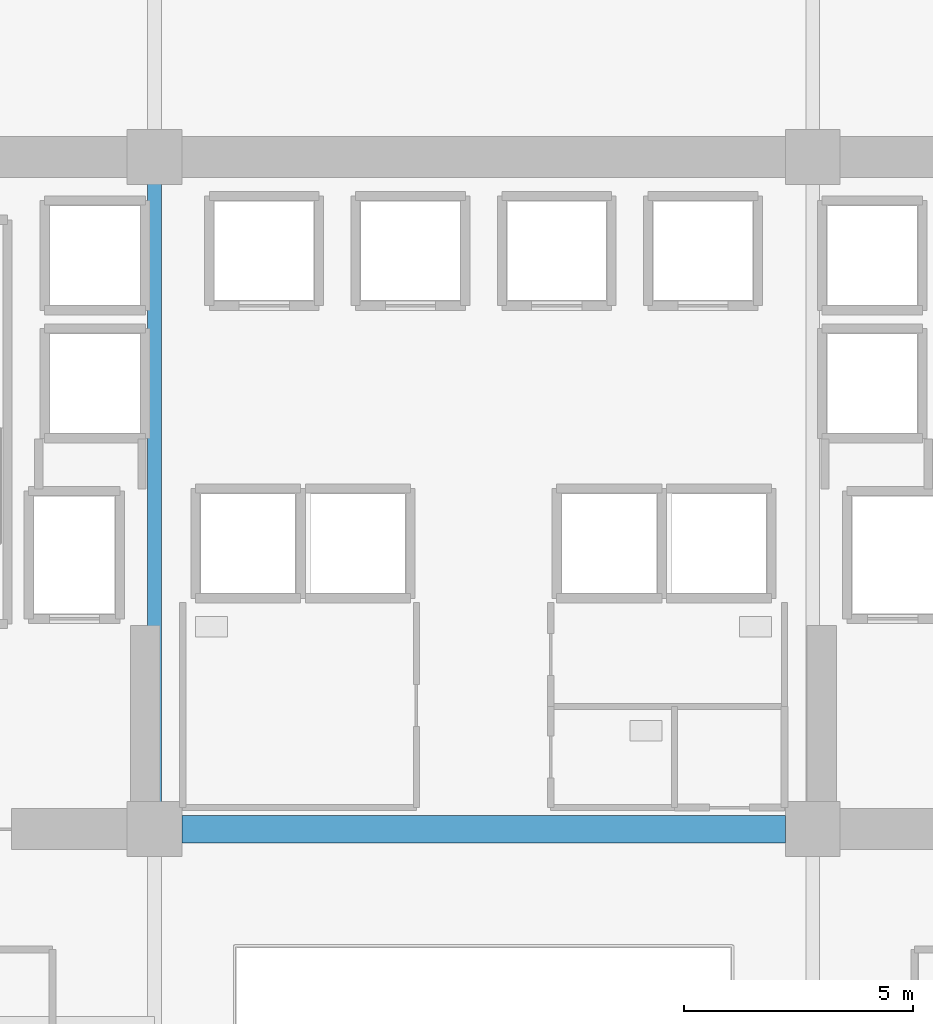
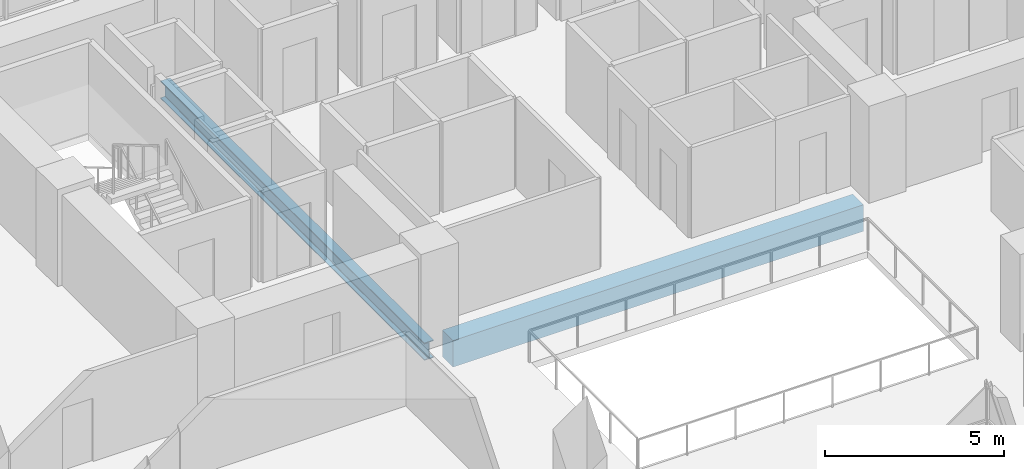
# One storey, part 8 of 31: 2 beams.
"""IFC4 building model written with IfcOpenShell, lengths in metres."""

import ifcopenshell
import ifcopenshell.guid

model = None  # the IFC model being written
_history = None  # IfcOwnerHistory: only IFC2X3 demands one
_inside = {}  # id of a spatial element -> (the spatial element, [elements in it])
_under = {}  # id of a project, library or spatial element -> (it, [spatial elements below it])
_declared = {}  # id of a project -> (the project, [libraries it declares])
_typed = {}  # id of a type object -> (the type object, [elements of that type])
_made_of = {}  # id of a material, layer set ... -> (it, [elements and type objects made of it])


def new_model(schema):
    """Start an empty IFC model of exactly this schema.

    Asked for "IFC4X3", IfcOpenShell would pick the latest addendum, in which some entities
    have other attributes; the version numbers below select the first issue.
    IFC2X3 requires an IfcOwnerHistory on every rooted entity: one is made here for all.
    """
    global model, _history
    if schema == "IFC4X3":
        model = ifcopenshell.file(schema_version=(4, 3, 0, 0))
    else:
        model = ifcopenshell.file(schema=schema)
    _inside.clear()
    _under.clear()
    _declared.clear()
    _typed.clear()
    _made_of.clear()
    _history = None
    if model.schema == "IFC2X3":
        org = make("IfcOrganization", Name="unknown")
        user = make(
            "IfcPersonAndOrganization",
            ThePerson=make("IfcPerson", FamilyName="unknown"),
            TheOrganization=org,
        )
        app = make(
            "IfcApplication",
            ApplicationDeveloper=org,
            Version="unknown",
            ApplicationFullName="unknown",
            ApplicationIdentifier="unknown",
        )
        _history = make(
            "IfcOwnerHistory",
            OwningUser=user,
            OwningApplication=app,
            ChangeAction="ADDED",
            CreationDate=0,
        )
    return model


def make(cls, **values):
    """One entity of the class cls with the attributes given. An attribute that is None is left unset."""
    return model.create_entity(
        cls, **{name: value for name, value in values.items() if value is not None}
    )


def rooted(cls, **values):
    """An entity with a GlobalId (a new one), such as an element, a storey or a relation."""
    return make(cls, GlobalId=ifcopenshell.guid.new(), OwnerHistory=_history, **values)


def si_unit(unit_type, name, prefix=None):
    """IfcSIUnit, for example si_unit("LENGTHUNIT", "METRE", prefix="MILLI")."""
    return make("IfcSIUnit", UnitType=unit_type, Prefix=prefix, Name=name)


def assignment(units):
    """IfcUnitAssignment: the units of a project."""
    return None if units is None else make("IfcUnitAssignment", Units=units)


def point(xyz):
    """IfcCartesianPoint."""
    return None if xyz is None else make("IfcCartesianPoint", Coordinates=xyz)


def direction(xyz):
    """IfcDirection."""
    return None if xyz is None else make("IfcDirection", DirectionRatios=xyz)


def frame(location, z_axis=None, x_axis=None):
    """IfcAxis2Placement3D, a coordinate frame: its origin and axes. An axis left out is left unset."""
    return make(
        "IfcAxis2Placement3D",
        Location=point(location),
        Axis=direction(z_axis),
        RefDirection=direction(x_axis),
    )


def frame_2d(location, x_axis=None):
    """IfcAxis2Placement2D, a coordinate frame in the plane: its origin and x axis."""
    return make(
        "IfcAxis2Placement2D", Location=point(location), RefDirection=direction(x_axis)
    )


def origin():
    """The frame at (0, 0, 0) with its axes left unset."""
    return frame((0.0, 0.0, 0.0))


def origin_2d():
    """The frame at (0, 0) in the plane with its x axis left unset."""
    return frame_2d((0.0, 0.0))


def place(relative_to, where):
    """IfcLocalPlacement: puts the frame where relative to a parent placement (None: the world)."""
    return make(
        "IfcLocalPlacement", PlacementRelTo=relative_to, RelativePlacement=where
    )


def context(
    kind, dimensions, precision=None, world=None, true_north=None, identifier=None
):
    """IfcGeometricRepresentationContext, for example the 3D "Model" context."""
    return make(
        "IfcGeometricRepresentationContext",
        ContextIdentifier=identifier,
        ContextType=kind,
        CoordinateSpaceDimension=dimensions,
        Precision=precision,
        WorldCoordinateSystem=world,
        TrueNorth=true_north,
    )


def subcontext(parent, identifier, kind, view, scale=None):
    """IfcGeometricRepresentationSubContext, for example "Body" below "Model"."""
    return make(
        "IfcGeometricRepresentationSubContext",
        ContextIdentifier=identifier,
        ContextType=kind,
        ParentContext=parent,
        TargetScale=scale,
        TargetView=view,
    )


def project(units=None, contexts=None):
    """IfcProject with its units and contexts."""
    return rooted(
        "IfcProject",
        Name="project",
        RepresentationContexts=contexts,
        UnitsInContext=assignment(units),
    )


def spatial(cls, under=None, at=None, **own):
    """A site, building, storey or space (cls), placed at a placement, below another one or the project."""
    s = rooted(cls, ObjectPlacement=at, **own)
    if under is not None:
        _under.setdefault(under.id(), (under, []))[1].append(s)
    return s


def profile(cls, at=None, kind="AREA", **sizes):
    """A parametric profile (cls). Its sizes go by their IFC names, for example OverallWidth=200.0."""
    return make(cls, ProfileType=kind, Position=at, **sizes)


def rectangle(**sizes):
    """IfcRectangleProfileDef."""
    return profile("IfcRectangleProfileDef", **sizes)


def i_section(**sizes):
    """IfcIShapeProfileDef."""
    return profile("IfcIShapeProfileDef", **sizes)


def extrude(swept, where, along, depth):
    """IfcExtrudedAreaSolid: the profile swept, set in the frame where, extruded along a direction by depth."""
    return make(
        "IfcExtrudedAreaSolid",
        SweptArea=swept,
        Position=where,
        ExtrudedDirection=direction(along),
        Depth=depth,
    )


def shape(context_of_items, identifier, shape_type, items):
    """IfcShapeRepresentation: the items that make up one representation, for example the "Body"."""
    return make(
        "IfcShapeRepresentation",
        ContextOfItems=context_of_items,
        RepresentationIdentifier=identifier,
        RepresentationType=shape_type,
        Items=items,
    )


def material(Name=None, Category=None):
    """IfcMaterial."""
    return make("IfcMaterial", Name=Name, Category=Category)


def material_profile(
    of_material, cross_section, Name=None, Category=None, Priority=None
):
    """IfcMaterialProfile: a cross section and its material."""
    return make(
        "IfcMaterialProfile",
        Name=Name,
        Material=of_material,
        Profile=cross_section,
        Priority=Priority,
        Category=Category,
    )


def profile_set(profiles, Name=None, composite=None):
    """IfcMaterialProfileSet."""
    return make(
        "IfcMaterialProfileSet",
        Name=Name,
        MaterialProfiles=profiles,
        CompositeProfile=composite,
    )


def made_of(thing, what):
    """Note that an element or type object is made of a material, layer set ...; save() writes the relation."""
    if what is not None:
        _made_of.setdefault(what.id(), (what, []))[1].append(thing)
    return thing


def type_object(cls, material=None, **own):
    """A type object (cls), such as IfcWallType, which elements share."""
    return made_of(rooted(cls, **own), material)


def element(
    cls,
    number,
    at=None,
    inside=None,
    cuts=None,
    type_object=None,
    material=None,
    context=None,
    identifier="Body",
    shape_type=None,
    held_by="IfcProductDefinitionShape",
    body=None,
    shapes=None,
    **own,
):
    """One element of the class cls, such as IfcWall. Its Tag is "e" and its number.

    at: its placement. inside: the storey or other place that contains it. cuts: it is an
    opening in that element (IfcRelVoidsElement). A single representation is given by context,
    identifier, shape_type and body (its items); several are given by shapes. held_by: the class
    of the entity that holds the representations. save() writes the other relations.
    """
    e = rooted(cls, Tag="e%d" % number, ObjectPlacement=at, **own)
    if body is not None:
        shapes = [shape(context, identifier, shape_type, body)]
    if shapes is not None:
        e.Representation = make(held_by, Representations=shapes)
    if inside is not None:
        _inside.setdefault(inside.id(), (inside, []))[1].append(e)
    if cuts is not None:
        rooted(
            "IfcRelVoidsElement", RelatingBuildingElement=cuts, RelatedOpeningElement=e
        )
    if type_object is not None:
        _typed.setdefault(type_object.id(), (type_object, []))[1].append(e)
    return made_of(e, material)


def aggregate(whole, parts):
    """IfcRelAggregates: a whole, such as a stair, and the parts it consists of."""
    return rooted("IfcRelAggregates", RelatingObject=whole, RelatedObjects=parts)


def save(model, path):
    """Write the relations noted so far, then the file.

    IfcRelAggregates (storeys below a building ...), IfcRelContainedInSpatialStructure (elements
    in a storey), IfcRelDefinesByType, IfcRelAssociatesMaterial and IfcRelDeclares: one each for
    every whole, place, type object, material and project.
    """
    for whole, parts in _under.values():
        aggregate(whole, parts)
    for where, things in _inside.values():
        rooted(
            "IfcRelContainedInSpatialStructure",
            RelatedElements=things,
            RelatingStructure=where,
        )
    for kind, things in _typed.values():
        rooted("IfcRelDefinesByType", RelatedObjects=things, RelatingType=kind)
    for what, things in _made_of.values():
        rooted("IfcRelAssociatesMaterial", RelatedObjects=things, RelatingMaterial=what)
    for by, libraries in _declared.values():
        rooted("IfcRelDeclares", RelatingContext=by, RelatedDefinitions=libraries)
    model.write(path)


model = new_model("IFC4")

# Units and contexts
model_context = context("Model", 3, precision=1e-05, world=origin(), true_north=direction((0.0, 1.0)))
body_context = subcontext(model_context, "Body", "Model", "MODEL_VIEW")
ifc_project = project(units=[si_unit("LENGTHUNIT", "METRE"), si_unit("AREAUNIT", "SQUARE_METRE"), si_unit("VOLUMEUNIT", "CUBIC_METRE"), si_unit("PLANEANGLEUNIT", "RADIAN"), si_unit("MASSUNIT", "GRAM", prefix="KILO")], contexts=[model_context])

# Site, building, storey
site_placement = place(None, origin())
site = spatial("IfcSite", under=ifc_project, at=site_placement, CompositionType="ELEMENT")
building_placement = place(site_placement, origin())
building = spatial("IfcBuilding", under=site, at=building_placement, Name="Zarnakvel Exchange Tower", CompositionType="ELEMENT")
storey_placement = place(building_placement, frame((0.0, 0.0, 60.39990234375)))
storey = spatial("IfcBuildingStorey", under=building, at=storey_placement, Name="L16", CompositionType="ELEMENT", Elevation=60.39990234375)

# Beams
ifc_material_1 = material(Name="Concrete C80/95", Category="concrete")
ifc_material_profile_1 = material_profile(ifc_material_1, rectangle(XDim=0.60009765625, YDim=0.89990234375, at=origin_2d()))
ifc_profile_set_1 = profile_set([ifc_material_profile_1], Name="Concrete C80/95")
beam_type_1 = type_object("IfcBeamType", Name="CB-01", PredefinedType="LINTEL", material=ifc_profile_set_1)
beam_1_placement = place(storey_placement, frame((-6.60009765625, -1.199951171875, -0.6748046875), z_axis=(1.0, 0.0, 0.0), x_axis=(0.0, 1.0, 0.0)))
element("IfcBeam", 1, at=beam_1_placement, inside=storey, type_object=beam_type_1, Name="L16 Rear Core South Coupling Beam (CB-01)", PredefinedType="LINTEL", context=body_context, shape_type="SweptSolid", body=[
    extrude(rectangle(XDim=0.60009765625, YDim=0.89990234375, at=origin_2d()), origin(), (0.0, 0.0, 1.0), 13.2001953125),
])
ifc_material_2 = material(Name="Steel S355", Category="steel")
ifc_material_profile_2 = material_profile(ifc_material_2, i_section(OverallWidth=0.300048828125, OverallDepth=0.60009765625, WebThickness=0.015380859375, FlangeThickness=0.030029296875, FilletRadius=0.027099609375, at=origin_2d()))
ifc_profile_set_2 = profile_set([ifc_material_profile_2], Name="Steel S355")
beam_type_2 = type_object("IfcBeamType", Name="G-04", PredefinedType="BEAM", material=ifc_profile_set_2)
beam_2_placement = place(storey_placement, frame((-7.199951171875, -1.199951171875, -0.52490234375), z_axis=(0.0, 1.0, 0.0), x_axis=(-1.0, 0.0, 0.0)))
element("IfcBeam", 2, at=beam_2_placement, inside=storey, type_object=beam_type_2, Name="L16 Tower N-S Frame Beam", PredefinedType="BEAM", context=body_context, shape_type="SweptSolid", body=[
    extrude(i_section(OverallWidth=0.300048828125, OverallDepth=0.60009765625, WebThickness=0.015380859375, FlangeThickness=0.030029296875, FilletRadius=0.027099609375, at=origin_2d()), origin(), (0.0, 0.0, 1.0), 14.699951171875),
])

save(model, "model.ifc")
